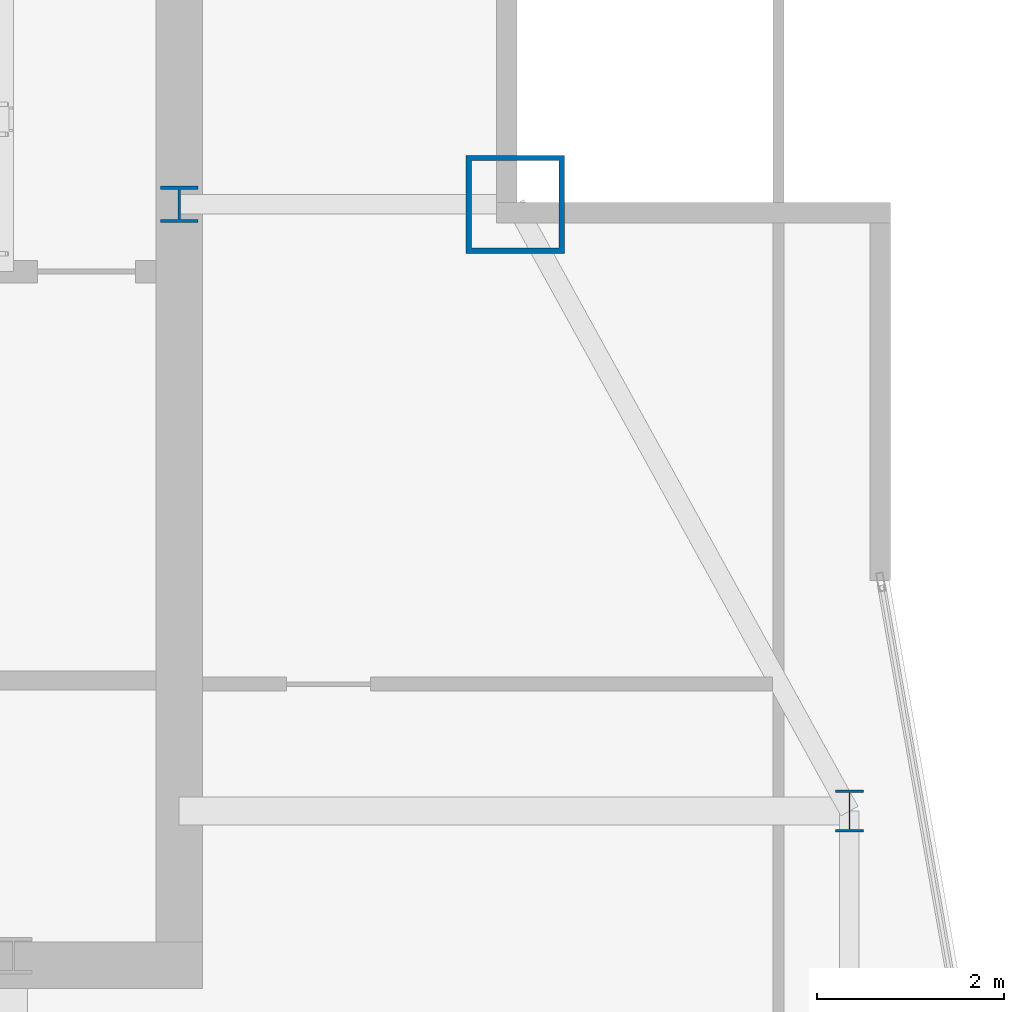
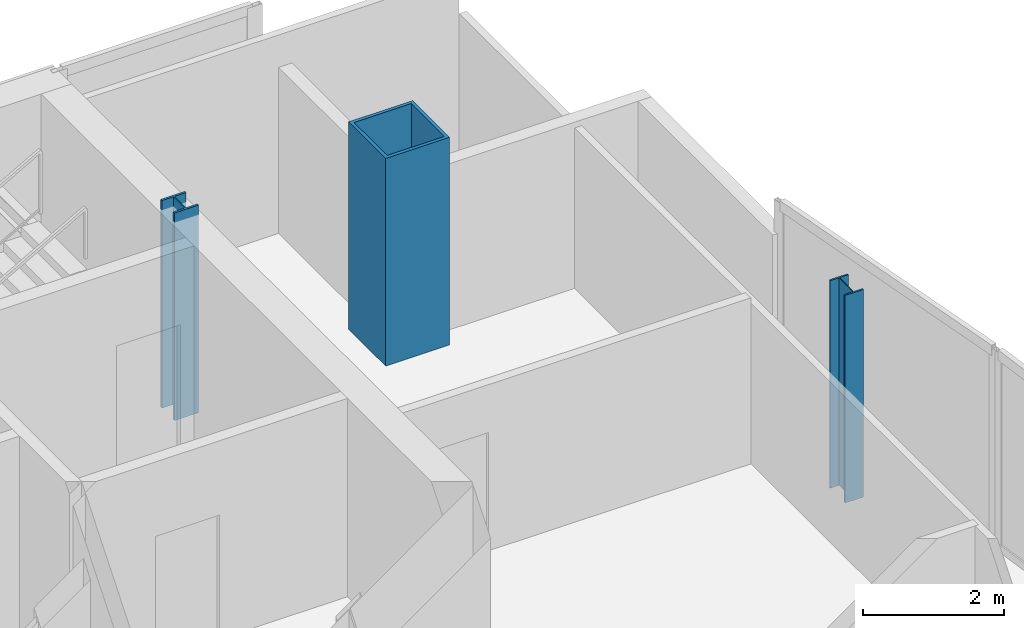
# One storey, part 4 of 30: 3 columns.
"""IFC4 building model written with IfcOpenShell, lengths in metres."""

from ifc_helpers import new_model, si_unit, direction, frame, origin, origin_2d, place, context, subcontext, project, spatial, hollow_rectangle, i_section, extrude, material, material_profile, profile_set, type_object, element, save


model = new_model("IFC4")

# Units and contexts
model_context = context("Model", 3, precision=1e-05, world=origin(), true_north=direction((0.0, 1.0)))
body_context = subcontext(model_context, "Body", "Model", "MODEL_VIEW")
ifc_project = project(units=[si_unit("LENGTHUNIT", "METRE"), si_unit("AREAUNIT", "SQUARE_METRE"), si_unit("VOLUMEUNIT", "CUBIC_METRE"), si_unit("PLANEANGLEUNIT", "RADIAN"), si_unit("MASSUNIT", "GRAM", prefix="KILO")], contexts=[model_context])

# Site, building, storey
site_placement = place(None, origin())
site = spatial("IfcSite", under=ifc_project, at=site_placement, CompositionType="ELEMENT")
building_placement = place(site_placement, origin())
building = spatial("IfcBuilding", under=site, at=building_placement, Name="Khoronbel Lancet Exchange", CompositionType="ELEMENT")
storey_placement = place(building_placement, frame((0.0, 0.0, 277.0)))
storey = spatial("IfcBuildingStorey", under=building, at=storey_placement, Name="L71", CompositionType="ELEMENT", Elevation=277.0)

# Columns
ifc_material_1 = material(Name="Steel S355", Category="steel")
ifc_material_profile_1 = material_profile(ifc_material_1, i_section(OverallWidth=0.39892578125, OverallDepth=0.39306640625, WebThickness=0.022705078125, FlangeThickness=0.03662109375, at=origin_2d()), Name="HD 400x287")
ifc_profile_set_1 = profile_set([ifc_material_profile_1], Name="Steel S355")
column_type_1 = type_object("IfcColumnType", Name="COL-IC4", PredefinedType="COLUMN", material=ifc_profile_set_1)
column_1_placement = place(storey_placement, frame((56.449951171875, 49.699951171875, 0.0), z_axis=(0.0, 0.0, 1.0), x_axis=(1.0, 0.0, 0.0)))
element("IfcColumn", 1, at=column_1_placement, inside=storey, type_object=column_type_1, Name="Core-flank plumb transfer column CFE L71", PredefinedType="COLUMN", context=body_context, shape_type="SweptSolid", body=[
    extrude(i_section(OverallWidth=0.39892578125, OverallDepth=0.39306640625, WebThickness=0.022705078125, FlangeThickness=0.03662109375, at=origin_2d()), origin(), (0.0, 0.0, 1.0), 3.60009765625),
])
ifc_material_profile_2 = material_profile(ifc_material_1, i_section(OverallWidth=0.300048828125, OverallDepth=0.449951171875, WebThickness=0.013916015625, FlangeThickness=0.02587890625, at=origin_2d()), Name="HEB 450")
ifc_profile_set_2 = profile_set([ifc_material_profile_2], Name="Steel S355")
column_type_2 = type_object("IfcColumnType", Name="COL-LC2", PredefinedType="COLUMN", material=ifc_profile_set_2)
column_2_placement = place(storey_placement, frame((63.6298828125, 43.199951171875, 0.0), z_axis=(0.0, 0.0, 1.0), x_axis=(1.0, 0.0, 0.0)))
element("IfcColumn", 2, at=column_2_placement, inside=storey, type_object=column_type_2, Name="Structural column EC-4 L71", PredefinedType="COLUMN", context=body_context, shape_type="SweptSolid", body=[
    extrude(i_section(OverallWidth=0.300048828125, OverallDepth=0.449951171875, WebThickness=0.013916015625, FlangeThickness=0.02587890625, at=origin_2d()), origin(), (0.0, 0.0, 1.0), 3.60009765625),
])
ifc_material_2 = material(Name="Steel S460", Category="steel")
ifc_material_profile_3 = material_profile(ifc_material_2, hollow_rectangle(XDim=1.050048828125, YDim=1.050048828125, WallThickness=0.054931640625, at=origin_2d()), Name="BOX 1050x1050x55")
ifc_profile_set_3 = profile_set([ifc_material_profile_3], Name="Steel S460")
column_type_3 = type_object("IfcColumnType", Name="COL-MC6", PredefinedType="COLUMN", material=ifc_profile_set_3)
column_3_placement = place(storey_placement, frame((60.050048828125, 49.699951171875, 0.0), z_axis=(0.0, 0.0, 1.0), x_axis=(1.0, 0.0, 0.0)))
element("IfcColumn", 3, at=column_3_placement, inside=storey, type_object=column_type_3, Name="Structural column MC-NE L71", PredefinedType="COLUMN", context=body_context, shape_type="SweptSolid", body=[
    extrude(hollow_rectangle(XDim=1.050048828125, YDim=1.050048828125, WallThickness=0.054931640625, at=origin_2d()), origin(), (0.0, 0.0, 1.0), 3.60009765625),
])

save(model, "model.ifc")
